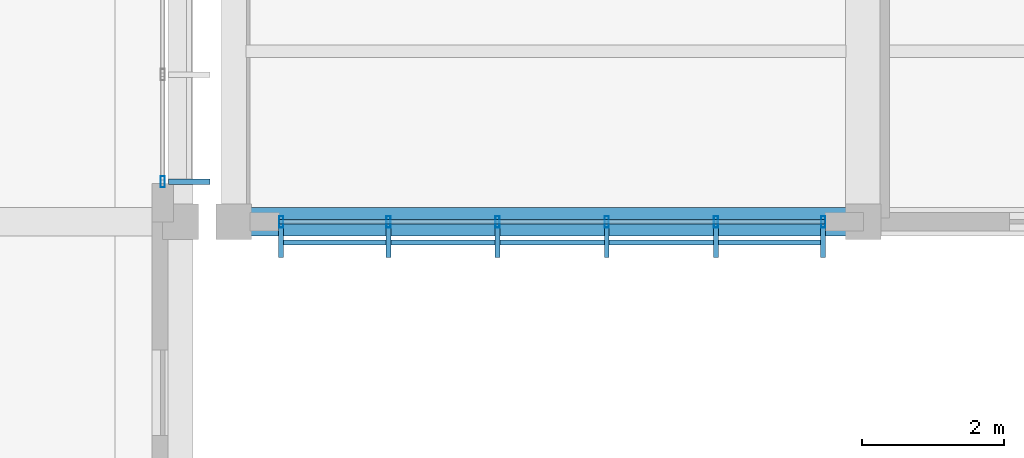
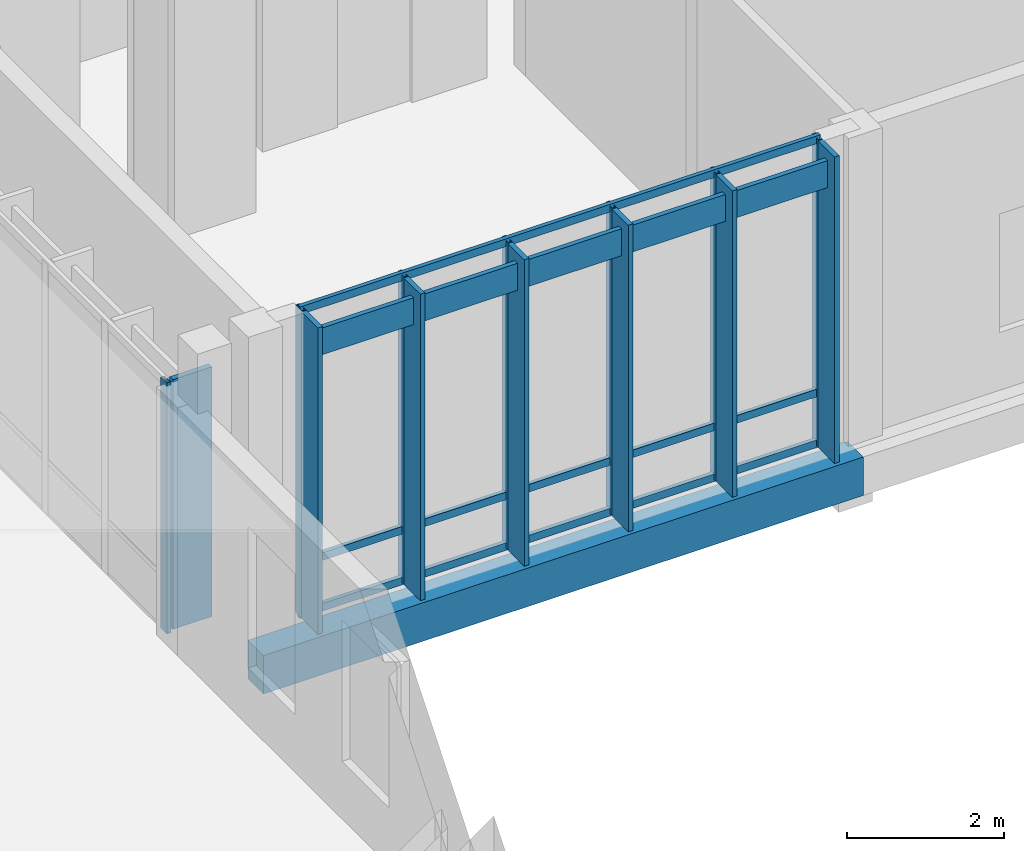
# One storey, part 26 of 177: 18 members, 1 beam, 2 elements without a shape of their own.
"""IFC4 building model written with IfcOpenShell, lengths in metres."""

import ifcopenshell
import ifcopenshell.guid

model = None  # the IFC model being written
_history = None  # IfcOwnerHistory: only IFC2X3 demands one
_inside = {}  # id of a spatial element -> (the spatial element, [elements in it])
_under = {}  # id of a project, library or spatial element -> (it, [spatial elements below it])
_declared = {}  # id of a project -> (the project, [libraries it declares])
_typed = {}  # id of a type object -> (the type object, [elements of that type])
_made_of = {}  # id of a material, layer set ... -> (it, [elements and type objects made of it])


def new_model(schema):
    """Start an empty IFC model of exactly this schema.

    Asked for "IFC4X3", IfcOpenShell would pick the latest addendum, in which some entities
    have other attributes; the version numbers below select the first issue.
    IFC2X3 requires an IfcOwnerHistory on every rooted entity: one is made here for all.
    """
    global model, _history
    if schema == "IFC4X3":
        model = ifcopenshell.file(schema_version=(4, 3, 0, 0))
    else:
        model = ifcopenshell.file(schema=schema)
    _inside.clear()
    _under.clear()
    _declared.clear()
    _typed.clear()
    _made_of.clear()
    _history = None
    if model.schema == "IFC2X3":
        org = make("IfcOrganization", Name="unknown")
        user = make(
            "IfcPersonAndOrganization",
            ThePerson=make("IfcPerson", FamilyName="unknown"),
            TheOrganization=org,
        )
        app = make(
            "IfcApplication",
            ApplicationDeveloper=org,
            Version="unknown",
            ApplicationFullName="unknown",
            ApplicationIdentifier="unknown",
        )
        _history = make(
            "IfcOwnerHistory",
            OwningUser=user,
            OwningApplication=app,
            ChangeAction="ADDED",
            CreationDate=0,
        )
    return model


def make(cls, **values):
    """One entity of the class cls with the attributes given. An attribute that is None is left unset."""
    return model.create_entity(
        cls, **{name: value for name, value in values.items() if value is not None}
    )


def rooted(cls, **values):
    """An entity with a GlobalId (a new one), such as an element, a storey or a relation."""
    return make(cls, GlobalId=ifcopenshell.guid.new(), OwnerHistory=_history, **values)


def si_unit(unit_type, name, prefix=None):
    """IfcSIUnit, for example si_unit("LENGTHUNIT", "METRE", prefix="MILLI")."""
    return make("IfcSIUnit", UnitType=unit_type, Prefix=prefix, Name=name)


def assignment(units):
    """IfcUnitAssignment: the units of a project."""
    return None if units is None else make("IfcUnitAssignment", Units=units)


def point(xyz):
    """IfcCartesianPoint."""
    return None if xyz is None else make("IfcCartesianPoint", Coordinates=xyz)


def direction(xyz):
    """IfcDirection."""
    return None if xyz is None else make("IfcDirection", DirectionRatios=xyz)


def frame(location, z_axis=None, x_axis=None):
    """IfcAxis2Placement3D, a coordinate frame: its origin and axes. An axis left out is left unset."""
    return make(
        "IfcAxis2Placement3D",
        Location=point(location),
        Axis=direction(z_axis),
        RefDirection=direction(x_axis),
    )


def frame_2d(location, x_axis=None):
    """IfcAxis2Placement2D, a coordinate frame in the plane: its origin and x axis."""
    return make(
        "IfcAxis2Placement2D", Location=point(location), RefDirection=direction(x_axis)
    )


def origin():
    """The frame at (0, 0, 0) with its axes left unset."""
    return frame((0.0, 0.0, 0.0))


def origin_2d():
    """The frame at (0, 0) in the plane with its x axis left unset."""
    return frame_2d((0.0, 0.0))


def place(relative_to, where):
    """IfcLocalPlacement: puts the frame where relative to a parent placement (None: the world)."""
    return make(
        "IfcLocalPlacement", PlacementRelTo=relative_to, RelativePlacement=where
    )


def context(
    kind, dimensions, precision=None, world=None, true_north=None, identifier=None
):
    """IfcGeometricRepresentationContext, for example the 3D "Model" context."""
    return make(
        "IfcGeometricRepresentationContext",
        ContextIdentifier=identifier,
        ContextType=kind,
        CoordinateSpaceDimension=dimensions,
        Precision=precision,
        WorldCoordinateSystem=world,
        TrueNorth=true_north,
    )


def subcontext(parent, identifier, kind, view, scale=None):
    """IfcGeometricRepresentationSubContext, for example "Body" below "Model"."""
    return make(
        "IfcGeometricRepresentationSubContext",
        ContextIdentifier=identifier,
        ContextType=kind,
        ParentContext=parent,
        TargetScale=scale,
        TargetView=view,
    )


def project(units=None, contexts=None):
    """IfcProject with its units and contexts."""
    return rooted(
        "IfcProject",
        Name="project",
        RepresentationContexts=contexts,
        UnitsInContext=assignment(units),
    )


def spatial(cls, under=None, at=None, **own):
    """A site, building, storey or space (cls), placed at a placement, below another one or the project."""
    s = rooted(cls, ObjectPlacement=at, **own)
    if under is not None:
        _under.setdefault(under.id(), (under, []))[1].append(s)
    return s


def profile(cls, at=None, kind="AREA", **sizes):
    """A parametric profile (cls). Its sizes go by their IFC names, for example OverallWidth=200.0."""
    return make(cls, ProfileType=kind, Position=at, **sizes)


def rectangle(**sizes):
    """IfcRectangleProfileDef."""
    return profile("IfcRectangleProfileDef", **sizes)


def hollow_rectangle(**sizes):
    """IfcRectangleHollowProfileDef."""
    return profile("IfcRectangleHollowProfileDef", **sizes)


def extrude(swept, where, along, depth):
    """IfcExtrudedAreaSolid: the profile swept, set in the frame where, extruded along a direction by depth."""
    return make(
        "IfcExtrudedAreaSolid",
        SweptArea=swept,
        Position=where,
        ExtrudedDirection=direction(along),
        Depth=depth,
    )


def shape(context_of_items, identifier, shape_type, items):
    """IfcShapeRepresentation: the items that make up one representation, for example the "Body"."""
    return make(
        "IfcShapeRepresentation",
        ContextOfItems=context_of_items,
        RepresentationIdentifier=identifier,
        RepresentationType=shape_type,
        Items=items,
    )


def material(Name=None, Category=None):
    """IfcMaterial."""
    return make("IfcMaterial", Name=Name, Category=Category)


def material_profile(
    of_material, cross_section, Name=None, Category=None, Priority=None
):
    """IfcMaterialProfile: a cross section and its material."""
    return make(
        "IfcMaterialProfile",
        Name=Name,
        Material=of_material,
        Profile=cross_section,
        Priority=Priority,
        Category=Category,
    )


def profile_set(profiles, Name=None, composite=None):
    """IfcMaterialProfileSet."""
    return make(
        "IfcMaterialProfileSet",
        Name=Name,
        MaterialProfiles=profiles,
        CompositeProfile=composite,
    )


def made_of(thing, what):
    """Note that an element or type object is made of a material, layer set ...; save() writes the relation."""
    if what is not None:
        _made_of.setdefault(what.id(), (what, []))[1].append(thing)
    return thing


def type_object(cls, material=None, **own):
    """A type object (cls), such as IfcWallType, which elements share."""
    return made_of(rooted(cls, **own), material)


def element(
    cls,
    number,
    at=None,
    inside=None,
    cuts=None,
    type_object=None,
    material=None,
    context=None,
    identifier="Body",
    shape_type=None,
    held_by="IfcProductDefinitionShape",
    body=None,
    shapes=None,
    **own,
):
    """One element of the class cls, such as IfcWall. Its Tag is "e" and its number.

    at: its placement. inside: the storey or other place that contains it. cuts: it is an
    opening in that element (IfcRelVoidsElement). A single representation is given by context,
    identifier, shape_type and body (its items); several are given by shapes. held_by: the class
    of the entity that holds the representations. save() writes the other relations.
    """
    e = rooted(cls, Tag="e%d" % number, ObjectPlacement=at, **own)
    if body is not None:
        shapes = [shape(context, identifier, shape_type, body)]
    if shapes is not None:
        e.Representation = make(held_by, Representations=shapes)
    if inside is not None:
        _inside.setdefault(inside.id(), (inside, []))[1].append(e)
    if cuts is not None:
        rooted(
            "IfcRelVoidsElement", RelatingBuildingElement=cuts, RelatedOpeningElement=e
        )
    if type_object is not None:
        _typed.setdefault(type_object.id(), (type_object, []))[1].append(e)
    return made_of(e, material)


def aggregate(whole, parts):
    """IfcRelAggregates: a whole, such as a stair, and the parts it consists of."""
    return rooted("IfcRelAggregates", RelatingObject=whole, RelatedObjects=parts)


def save(model, path):
    """Write the relations noted so far, then the file.

    IfcRelAggregates (storeys below a building ...), IfcRelContainedInSpatialStructure (elements
    in a storey), IfcRelDefinesByType, IfcRelAssociatesMaterial and IfcRelDeclares: one each for
    every whole, place, type object, material and project.
    """
    for whole, parts in _under.values():
        aggregate(whole, parts)
    for where, things in _inside.values():
        rooted(
            "IfcRelContainedInSpatialStructure",
            RelatedElements=things,
            RelatingStructure=where,
        )
    for kind, things in _typed.values():
        rooted("IfcRelDefinesByType", RelatedObjects=things, RelatingType=kind)
    for what, things in _made_of.values():
        rooted("IfcRelAssociatesMaterial", RelatedObjects=things, RelatingMaterial=what)
    for by, libraries in _declared.values():
        rooted("IfcRelDeclares", RelatingContext=by, RelatedDefinitions=libraries)
    model.write(path)


model = new_model("IFC4")

# Units and contexts
model_context = context("Model", 3, precision=1e-05, world=origin(), true_north=direction((0.0, 1.0)))
body_context = subcontext(model_context, "Body", "Model", "MODEL_VIEW")
ifc_project = project(units=[si_unit("LENGTHUNIT", "METRE"), si_unit("AREAUNIT", "SQUARE_METRE"), si_unit("VOLUMEUNIT", "CUBIC_METRE"), si_unit("PLANEANGLEUNIT", "RADIAN"), si_unit("MASSUNIT", "GRAM", prefix="KILO")], contexts=[model_context])

# Site, building, storey
site_placement = place(None, origin())
site = spatial("IfcSite", under=ifc_project, at=site_placement, CompositionType="ELEMENT")
building_placement = place(site_placement, origin())
building = spatial("IfcBuilding", under=site, at=building_placement, Name="Chiffa Square Polytechnic", CompositionType="ELEMENT")
storey_placement = place(building_placement, frame((0.0, 0.0, 4.800048828125)))
storey = spatial("IfcBuildingStorey", under=building, at=storey_placement, Name="L01", CompositionType="ELEMENT", Elevation=4.800048828125)

# Beam
ifc_material_1 = material(Name="Concrete C35/45", Category="concrete")
ifc_material_profile_1 = material_profile(ifc_material_1, rectangle(XDim=0.39990234375, YDim=0.60009765625, at=origin_2d()), Name="RC 400x600")
ifc_profile_set_1 = profile_set([ifc_material_profile_1], Name="Concrete C35/45")
beam_type = type_object("IfcBeamType", Name="BM-RC-400X600", PredefinedType="BEAM", material=ifc_profile_set_1)
beam_placement = place(storey_placement, frame((48.75, 21.60009765625, -0.580078125), z_axis=(1.0, 0.0, 0.0), x_axis=(0.0, 1.0, 0.0)))
element("IfcBeam", 1, at=beam_placement, inside=storey, type_object=beam_type, Name="Primary floor girder BM-V4-L01-X-0488-0216", PredefinedType="BEAM", context=body_context, shape_type="SweptSolid", body=[
    extrude(rectangle(XDim=0.39990234375, YDim=0.60009765625, at=origin_2d()), origin(), (0.0, 0.0, 1.0), 8.85009765625),
])

# Curtain wall, member
ifc_material_2 = material(Name="Aluminium EN AW-6060 T66 and glulam shading", Category="wood")
curtain_wall_type_1 = type_object("IfcCurtainWallType", Name="CW-VERT-480X380", PredefinedType="USERDEFINED", material=ifc_material_2)
curtain_wall_1_placement = place(storey_placement, origin())
curtain_wall_1 = element("IfcCurtainWall", 2, at=curtain_wall_1_placement, inside=storey, type_object=curtain_wall_type_1, Name="Curtain wall CW-V3-L01-158", ObjectType="CURTAIN WALL", PredefinedType="USERDEFINED")
ifc_material_3 = material(Name="Aluminium EN AW-6060 T66", Category="aluminium")
ifc_material_profile_2 = material_profile(ifc_material_3, hollow_rectangle(XDim=0.06005859375, YDim=0.159912109375, WallThickness=0.00390625, at=origin_2d()), Name="ALU 60x160x4")
ifc_profile_set_2 = profile_set([ifc_material_profile_2], Name="Aluminium EN AW-6060 T66")
member_type_1 = type_object("IfcMemberType", Name="CWM-ALU-65X150", PredefinedType="MULLION", material=ifc_profile_set_2)
member_1_placement = place(storey_placement, frame((47.75, 22.1650390625, 0.0), z_axis=(0.0, 0.0, 1.0), x_axis=(1.0, 0.0, 0.0)))
member_1 = element("IfcMember", 3, at=member_1_placement, type_object=member_type_1, Name="Curtain wall mullion CW-V3-L01-158-M00", PredefinedType="MULLION", context=body_context, shape_type="SweptSolid", body=[
    extrude(hollow_rectangle(XDim=0.06005859375, YDim=0.159912109375, WallThickness=0.00390625, at=origin_2d()), origin(), (0.0, 0.0, 1.0), 3.9150390625),
])

# Curtain wall, members
curtain_wall_type_2 = type_object("IfcCurtainWallType", Name="CW-VERT-540X440", PredefinedType="USERDEFINED", material=ifc_material_2)
curtain_wall_2_placement = place(storey_placement, origin())
curtain_wall_2 = element("IfcCurtainWall", 4, at=curtain_wall_2_placement, inside=storey, type_object=curtain_wall_type_2, Name="Curtain wall CW-V4-L01-183", ObjectType="CURTAIN WALL", PredefinedType="USERDEFINED")
member_2_placement = place(storey_placement, frame((49.4150390625, 21.60009765625, 0.0), z_axis=(0.0, 0.0, 1.0), x_axis=(1.0, 0.0, 0.0)))
member_2 = element("IfcMember", 5, at=member_2_placement, type_object=member_type_1, Name="Curtain wall mullion CW-V4-L01-183-M00", PredefinedType="MULLION", context=body_context, shape_type="SweptSolid", body=[
    extrude(hollow_rectangle(XDim=0.06005859375, YDim=0.159912109375, WallThickness=0.00390625, at=origin_2d()), origin(), (0.0, 0.0, 1.0), 4.800048828125),
])
member_3_placement = place(storey_placement, frame((50.924072265625, 21.60009765625, 0.0), z_axis=(0.0, 0.0, 1.0), x_axis=(1.0, 0.0, 0.0)))
member_3 = element("IfcMember", 6, at=member_3_placement, type_object=member_type_1, Name="Curtain wall mullion CW-V4-L01-183-M01", PredefinedType="MULLION", context=body_context, shape_type="SweptSolid", body=[
    extrude(hollow_rectangle(XDim=0.06005859375, YDim=0.159912109375, WallThickness=0.00390625, at=origin_2d()), origin(), (0.0, 0.0, 1.0), 4.800048828125),
])
member_4_placement = place(storey_placement, frame((52.4580078125, 21.60009765625, 0.0), z_axis=(0.0, 0.0, 1.0), x_axis=(1.0, 0.0, 0.0)))
member_4 = element("IfcMember", 7, at=member_4_placement, type_object=member_type_1, Name="Curtain wall mullion CW-V4-L01-183-M02", PredefinedType="MULLION", context=body_context, shape_type="SweptSolid", body=[
    extrude(hollow_rectangle(XDim=0.06005859375, YDim=0.159912109375, WallThickness=0.00390625, at=origin_2d()), origin(), (0.0, 0.0, 1.0), 4.800048828125),
])
member_5_placement = place(storey_placement, frame((53.991943359375, 21.60009765625, 0.0), z_axis=(0.0, 0.0, 1.0), x_axis=(1.0, 0.0, 0.0)))
member_5 = element("IfcMember", 8, at=member_5_placement, type_object=member_type_1, Name="Curtain wall mullion CW-V4-L01-183-M03", PredefinedType="MULLION", context=body_context, shape_type="SweptSolid", body=[
    extrude(hollow_rectangle(XDim=0.06005859375, YDim=0.159912109375, WallThickness=0.00390625, at=origin_2d()), origin(), (0.0, 0.0, 1.0), 4.800048828125),
])
member_6_placement = place(storey_placement, frame((55.52587890625, 21.60009765625, 0.0), z_axis=(0.0, 0.0, 1.0), x_axis=(1.0, 0.0, 0.0)))
member_6 = element("IfcMember", 9, at=member_6_placement, type_object=member_type_1, Name="Curtain wall mullion CW-V4-L01-183-M04", PredefinedType="MULLION", context=body_context, shape_type="SweptSolid", body=[
    extrude(hollow_rectangle(XDim=0.06005859375, YDim=0.159912109375, WallThickness=0.00390625, at=origin_2d()), origin(), (0.0, 0.0, 1.0), 4.800048828125),
])
member_7_placement = place(storey_placement, frame((57.034912109375, 21.60009765625, 0.0), z_axis=(0.0, 0.0, 1.0), x_axis=(1.0, 0.0, 0.0)))
member_7 = element("IfcMember", 10, at=member_7_placement, type_object=member_type_1, Name="Curtain wall mullion CW-V4-L01-183-M05", PredefinedType="MULLION", context=body_context, shape_type="SweptSolid", body=[
    extrude(hollow_rectangle(XDim=0.06005859375, YDim=0.159912109375, WallThickness=0.00390625, at=origin_2d()), origin(), (0.0, 0.0, 1.0), 4.800048828125),
])
ifc_material_4 = material(Name="Glulam GL28h", Category="wood")
ifc_material_profile_3 = material_profile(ifc_material_4, rectangle(XDim=0.070068359375, YDim=0.419921875, at=origin_2d()), Name="GL28h 70x420")
ifc_profile_set_3 = profile_set([ifc_material_profile_3], Name="Glulam GL28h")
member_type_2 = type_object("IfcMemberType", Name="CWM-GL-70X420", PredefinedType="MULLION", material=ifc_profile_set_3)
member_8_placement = place(storey_placement, frame((49.4150390625, 21.30810546875, 0.010009765625), z_axis=(0.0, 0.0, 1.0), x_axis=(1.0, 0.0, 0.0)))
member_8 = element("IfcMember", 11, at=member_8_placement, type_object=member_type_2, Name="Exterior glulam solar fin CW-V4-L01-183-FN00", PredefinedType="MULLION", context=body_context, shape_type="SweptSolid", body=[
    extrude(rectangle(XDim=0.070068359375, YDim=0.419921875, at=origin_2d()), origin(), (0.0, 0.0, 1.0), 4.780029296875),
])
member_9_placement = place(storey_placement, frame((50.924072265625, 21.30810546875, 0.010009765625), z_axis=(0.0, 0.0, 1.0), x_axis=(1.0, 0.0, 0.0)))
member_9 = element("IfcMember", 12, at=member_9_placement, type_object=member_type_2, Name="Exterior glulam solar fin CW-V4-L01-183-FN01", PredefinedType="MULLION", context=body_context, shape_type="SweptSolid", body=[
    extrude(rectangle(XDim=0.070068359375, YDim=0.419921875, at=origin_2d()), origin(), (0.0, 0.0, 1.0), 4.780029296875),
])
member_10_placement = place(storey_placement, frame((52.4580078125, 21.30810546875, 0.010009765625), z_axis=(0.0, 0.0, 1.0), x_axis=(1.0, 0.0, 0.0)))
member_10 = element("IfcMember", 13, at=member_10_placement, type_object=member_type_2, Name="Exterior glulam solar fin CW-V4-L01-183-FN02", PredefinedType="MULLION", context=body_context, shape_type="SweptSolid", body=[
    extrude(rectangle(XDim=0.070068359375, YDim=0.419921875, at=origin_2d()), origin(), (0.0, 0.0, 1.0), 4.780029296875),
])
member_11_placement = place(storey_placement, frame((53.991943359375, 21.30810546875, 0.010009765625), z_axis=(0.0, 0.0, 1.0), x_axis=(1.0, 0.0, 0.0)))
member_11 = element("IfcMember", 14, at=member_11_placement, type_object=member_type_2, Name="Exterior glulam solar fin CW-V4-L01-183-FN03", PredefinedType="MULLION", context=body_context, shape_type="SweptSolid", body=[
    extrude(rectangle(XDim=0.070068359375, YDim=0.419921875, at=origin_2d()), origin(), (0.0, 0.0, 1.0), 4.780029296875),
])
member_12_placement = place(storey_placement, frame((55.52587890625, 21.30810546875, 0.010009765625), z_axis=(0.0, 0.0, 1.0), x_axis=(1.0, 0.0, 0.0)))
member_12 = element("IfcMember", 15, at=member_12_placement, type_object=member_type_2, Name="Exterior glulam solar fin CW-V4-L01-183-FN04", PredefinedType="MULLION", context=body_context, shape_type="SweptSolid", body=[
    extrude(rectangle(XDim=0.070068359375, YDim=0.419921875, at=origin_2d()), origin(), (0.0, 0.0, 1.0), 4.780029296875),
])
member_13_placement = place(storey_placement, frame((57.034912109375, 21.30810546875, 0.010009765625), z_axis=(0.0, 0.0, 1.0), x_axis=(1.0, 0.0, 0.0)))
member_13 = element("IfcMember", 16, at=member_13_placement, type_object=member_type_2, Name="Exterior glulam solar fin CW-V4-L01-183-FN05", PredefinedType="MULLION", context=body_context, shape_type="SweptSolid", body=[
    extrude(rectangle(XDim=0.070068359375, YDim=0.419921875, at=origin_2d()), origin(), (0.0, 0.0, 1.0), 4.780029296875),
])

# Member
ifc_material_profile_4 = material_profile(ifc_material_4, rectangle(XDim=0.080078125, YDim=0.580078125, at=origin_2d()), Name="GL28h 80x580")
ifc_profile_set_4 = profile_set([ifc_material_profile_4], Name="Glulam GL28h")
member_type_3 = type_object("IfcMemberType", Name="CWM-GL-80X580", PredefinedType="MULLION", material=ifc_profile_set_4)
member_14_placement = place(storey_placement, frame((48.1220703125, 22.1650390625, 0.010009765625), z_axis=(0.0, 0.0, 1.0), x_axis=(0.0, 1.0, 0.0)))
member_14 = element("IfcMember", 17, at=member_14_placement, type_object=member_type_3, Name="Exterior glulam solar fin CW-V3-L01-158-FN00", PredefinedType="MULLION", context=body_context, shape_type="SweptSolid", body=[
    extrude(rectangle(XDim=0.080078125, YDim=0.580078125, at=origin_2d()), origin(), (0.0, 0.0, 1.0), 3.89501953125),
])

aggregate(curtain_wall_1, [member_1, member_14])

ifc_material_profile_5 = material_profile(ifc_material_3, hollow_rectangle(XDim=0.06005859375, YDim=0.1201171875, WallThickness=0.00390625, at=origin_2d()), Name="ALU 60x120x4")
ifc_profile_set_5 = profile_set([ifc_material_profile_5], Name="Aluminium EN AW-6060 T66")
member_type_4 = type_object("IfcMemberType", Name="CWT-ALU-65X120", PredefinedType="USERDEFINED", material=ifc_profile_set_5)
member_15_placement = place(storey_placement, frame((49.387939453125, 21.60009765625, 0.030029296875), z_axis=(1.0, 0.0, 0.0), x_axis=(0.0, 1.0, 0.0)))
member_15 = element("IfcMember", 18, at=member_15_placement, type_object=member_type_4, Name="Curtain wall transom CW-V4-L01-183-T01", ObjectType="TRANSOM", PredefinedType="USERDEFINED", context=body_context, shape_type="SweptSolid", body=[
    extrude(hollow_rectangle(XDim=0.06005859375, YDim=0.1201171875, WallThickness=0.00390625, at=origin_2d()), origin(), (0.0, 0.0, 1.0), 7.674072265625),
])

member_16_placement = place(storey_placement, frame((49.387939453125, 21.60009765625, 0.820068359375), z_axis=(1.0, 0.0, 0.0), x_axis=(0.0, 1.0, 0.0)))
member_16 = element("IfcMember", 19, at=member_16_placement, type_object=member_type_4, Name="Curtain wall transom CW-V4-L01-183-T02", ObjectType="TRANSOM", PredefinedType="USERDEFINED", context=body_context, shape_type="SweptSolid", body=[
    extrude(hollow_rectangle(XDim=0.06005859375, YDim=0.1201171875, WallThickness=0.00390625, at=origin_2d()), origin(), (0.0, 0.0, 1.0), 7.674072265625),
])

member_17_placement = place(storey_placement, frame((49.387939453125, 21.60009765625, 4.77001953125), z_axis=(1.0, 0.0, 0.0), x_axis=(0.0, 1.0, 0.0)))
member_17 = element("IfcMember", 20, at=member_17_placement, type_object=member_type_4, Name="Curtain wall transom CW-V4-L01-183-T03", ObjectType="TRANSOM", PredefinedType="USERDEFINED", context=body_context, shape_type="SweptSolid", body=[
    extrude(hollow_rectangle(XDim=0.06005859375, YDim=0.1201171875, WallThickness=0.00390625, at=origin_2d()), origin(), (0.0, 0.0, 1.0), 7.674072265625),
])

ifc_material_profile_6 = material_profile(ifc_material_4, rectangle(XDim=0.070068359375, YDim=0.419921875, at=origin_2d()), Name="GL28h 70x420")
ifc_profile_set_6 = profile_set([ifc_material_profile_6], Name="Glulam GL28h")
member_type_5 = type_object("IfcMemberType", Name="CWT-GL-70X420", PredefinedType="USERDEFINED", material=ifc_profile_set_6)
member_18_placement = place(storey_placement, frame((49.4150390625, 21.30810546875, 4.419921875), z_axis=(1.0, 0.0, 0.0), x_axis=(0.0, 1.0, 0.0)))
member_18 = element("IfcMember", 21, at=member_18_placement, type_object=member_type_5, Name="Exterior glulam brise-soleil CW-V4-L01-183-BS01", ObjectType="TRANSOM", PredefinedType="USERDEFINED", context=body_context, shape_type="SweptSolid", body=[
    extrude(rectangle(XDim=0.070068359375, YDim=0.419921875, at=origin_2d()), origin(), (0.0, 0.0, 1.0), 7.619873046875),
])

aggregate(curtain_wall_2, [member_2, member_8, member_3, member_9, member_4, member_10, member_5, member_11, member_6, member_12, member_7, member_13, member_15, member_16, member_17, member_18])

save(model, "model.ifc")
